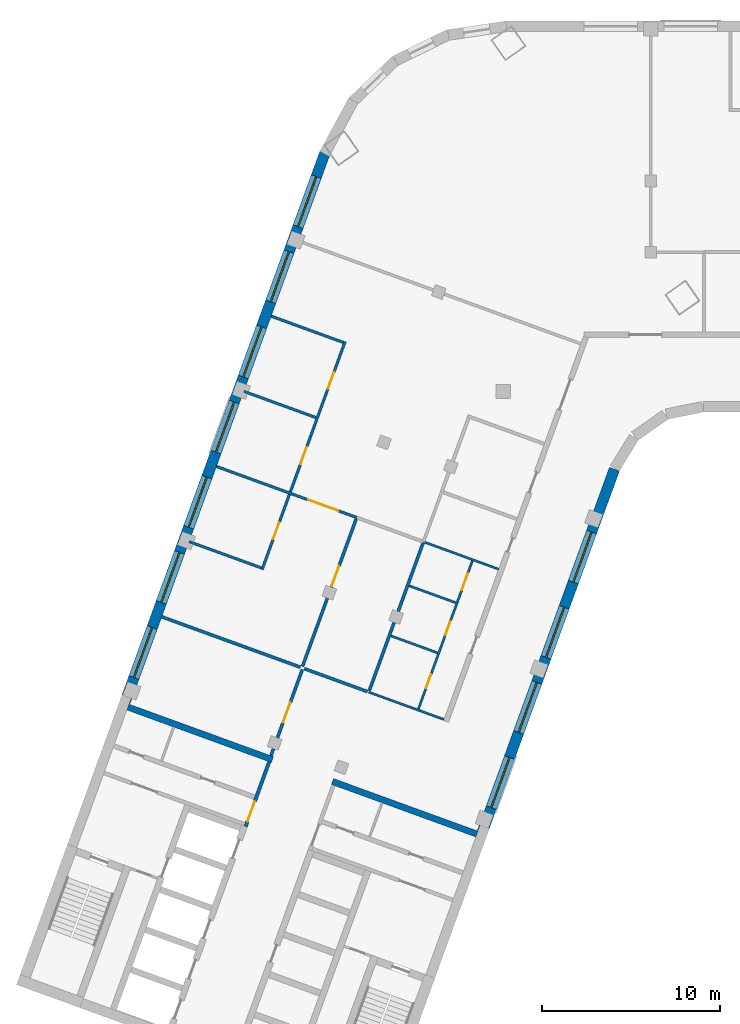
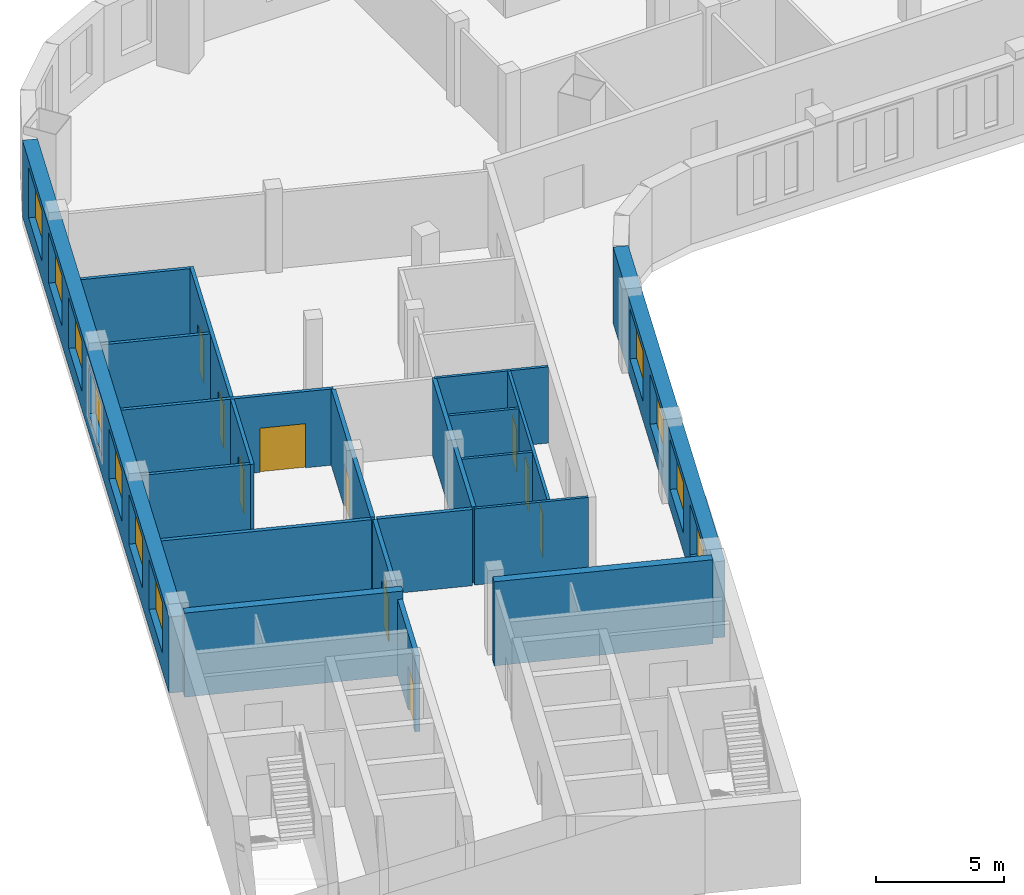
# One storey, part 3 of 8: 20 walls, 11 windows, 10 doors, 21 openings.
"""IFC4 building model written with IfcOpenShell, lengths in metres."""

from ifc_helpers import new_model, si_unit, direction, frame, frame_2d, origin, place, context, subcontext, project, spatial, rectangle, extrude, material, layer, layer_set, type_object, element, fill, save


model = new_model("IFC4")

# Units and contexts
model_context = context("Model", 3, precision=1e-05, world=origin(), true_north=direction((0.0, 1.0)))
body_context = subcontext(model_context, "Body", "Model", "MODEL_VIEW")
ifc_project = project(units=[si_unit("LENGTHUNIT", "METRE"), si_unit("AREAUNIT", "SQUARE_METRE"), si_unit("VOLUMEUNIT", "CUBIC_METRE"), si_unit("PLANEANGLEUNIT", "RADIAN"), si_unit("MASSUNIT", "GRAM", prefix="KILO")], contexts=[model_context])

# Site, building, storey
site_placement = place(None, origin())
site = spatial("IfcSite", under=ifc_project, at=site_placement, CompositionType="ELEMENT")
building_placement = place(site_placement, origin())
building = spatial("IfcBuilding", under=site, at=building_placement, Name="Skarvind Civic Tower", CompositionType="ELEMENT")
storey_placement = place(building_placement, frame((0.0, 0.0, 170.5)))
storey = spatial("IfcBuildingStorey", under=building, at=storey_placement, Name="L40", CompositionType="ELEMENT", Elevation=170.5)

# Wall
ifc_material_1 = material(Name="Acoustic gypsum board on steel studs", Category="steel")
ifc_layer_1 = layer(ifc_material_1, 0.175048828125)
ifc_layer_set_1 = layer_set([ifc_layer_1], Name="ACOUSTIC MEETING-ROOM PARTITION 175")
wall_type_1 = type_object("IfcWallType", Name="ACOUSTIC MEETING-ROOM PARTITION 175", PredefinedType="PARTITIONING", material=ifc_layer_set_1)
wall_1_placement = place(storey_placement, frame((26.736083984375, 105.47998046875, 0.0), z_axis=(0.0, 0.0, 1.0), x_axis=(0.939705074886, -0.341985924028, 0.0)))
element("IfcWall", 1, at=wall_1_placement, inside=storey, type_object=wall_type_1, Name="Partition 40.001", PredefinedType="PARTITIONING", context=body_context, shape_type="SweptSolid", body=[
    extrude(rectangle(XDim=8.313232421875, YDim=0.175048828125, at=frame_2d((4.15673828125, 0.0))), origin(), (0.0, 0.0, 1.0), 3.625),
])

# Wall, opening, door
wall_2_placement = place(storey_placement, frame((32.881103515625, 97.656982421875, 0.0), z_axis=(0.0, 0.0, 1.0), x_axis=(0.342058204353, 0.939678766832, 0.0)))
wall_2 = element("IfcWall", 2, at=wall_2_placement, inside=storey, type_object=wall_type_1, Name="Partition 40.009", PredefinedType="PARTITIONING", context=body_context, shape_type="SweptSolid", body=[
    extrude(rectangle(XDim=5.16259765625, YDim=0.175048828125, at=frame_2d((2.581298828125, 0.0))), origin(), (0.0, 0.0, 1.0), 3.625),
])
opening_1_placement = place(wall_2_placement, frame((1.9912109375, 0.0, 0.0)))
opening_1 = element("IfcOpeningElement", 3, at=opening_1_placement, cuts=wall_2, Name="Opening L40-D007", PredefinedType="OPENING", context=body_context, shape_type="SweptSolid", body=[
    extrude(rectangle(XDim=1.199951171875, YDim=2.10009765625, at=frame_2d((0.60009765625, 1.050048828125))), frame((0.0, 0.097412109375, 0.0), z_axis=(0.0, -1.0, 0.0), x_axis=(1.0, 0.0, 0.0)), (0.0, 0.0, 1.0), 0.195068359375),
])
ifc_material_2 = material(Name="Timber door leaf", Category="wood")
door_type_1 = type_object("IfcDoorType", Name="DOOR 1200X2100 DOUBLE TIMBER", OperationType="NOTDEFINED", PredefinedType="DOOR", material=ifc_material_2)
door_1_placement = place(opening_1_placement, origin())
door_1 = element("IfcDoor", 4, at=door_1_placement, inside=storey, type_object=door_type_1, Name="Door L40-D007", OperationType="DOUBLE_DOOR_SINGLE_SWING", OverallHeight=2.10009765625, OverallWidth=1.199951171875, PredefinedType="DOOR", context=body_context, shape_type="SweptSolid", body=[
    extrude(rectangle(XDim=1.199951171875, YDim=2.10009765625, at=frame_2d((0.60009765625, 1.050048828125))), frame((0.0, 0.02490234375, 0.0), z_axis=(0.0, -1.0, 0.0), x_axis=(1.0, 0.0, 0.0)), (0.0, 0.0, 1.0), 0.050048828125),
])
fill(opening_1, door_1)

# Wall
wall_3_placement = place(storey_placement, frame((34.759033203125, 102.56005859375, 0.0), z_axis=(0.0, 0.0, 1.0), x_axis=(0.939770757411, -0.341805388365, 0.0)))
element("IfcWall", 5, at=wall_3_placement, inside=storey, type_object=wall_type_1, Name="Partition 40.010", PredefinedType="PARTITIONING", context=body_context, shape_type="SweptSolid", body=[
    extrude(rectangle(XDim=3.774169921875, YDim=0.175048828125, at=frame_2d((1.88720703125, 0.0))), origin(), (0.0, 0.0, 1.0), 3.625),
])

# Wall, opening, door
wall_4_placement = place(storey_placement, frame((34.659912109375, 102.68896484375, 0.0), z_axis=(0.0, 0.0, 1.0), x_axis=(0.341951828534, 0.939717482524, 0.0)))
wall_4 = element("IfcWall", 6, at=wall_4_placement, inside=storey, type_object=wall_type_1, Name="Partition 40.011", PredefinedType="PARTITIONING", context=body_context, shape_type="SweptSolid", body=[
    extrude(rectangle(XDim=8.825927734375, YDim=0.175048828125, at=frame_2d((4.4130859375, 0.0))), origin(), (0.0, 0.0, 1.0), 3.625),
])
opening_2_placement = place(wall_4_placement, frame((4.81298828125, 0.0, 0.0)))
opening_2 = element("IfcOpeningElement", 7, at=opening_2_placement, cuts=wall_4, Name="Opening L40-D020", PredefinedType="OPENING", context=body_context, shape_type="SweptSolid", body=[
    extrude(rectangle(XDim=1.199951171875, YDim=2.10009765625, at=frame_2d((0.60009765625, 1.050048828125))), frame((0.0, 0.097412109375, 0.0), z_axis=(0.0, -1.0, 0.0), x_axis=(1.0, 0.0, 0.0)), (0.0, 0.0, 1.0), 0.195068359375),
])
door_2_placement = place(opening_2_placement, origin())
door_2 = element("IfcDoor", 8, at=door_2_placement, inside=storey, type_object=door_type_1, Name="Door L40-D020", OperationType="DOUBLE_DOOR_SINGLE_SWING", OverallHeight=2.10009765625, OverallWidth=1.199951171875, PredefinedType="DOOR", context=body_context, shape_type="SweptSolid", body=[
    extrude(rectangle(XDim=1.199951171875, YDim=2.10009765625, at=frame_2d((0.60009765625, 1.050048828125))), frame((0.0, 0.02490234375, 0.0), z_axis=(0.0, -1.0, 0.0), x_axis=(1.0, 0.0, 0.0)), (0.0, 0.0, 1.0), 0.050048828125),
])
fill(opening_2, door_2)

# Wall
wall_5_placement = place(storey_placement, frame((38.41796875, 101.322021484375, 0.0), z_axis=(0.0, 0.0, 1.0), x_axis=(0.342101536507, 0.939662992099, 0.0)))
element("IfcWall", 9, at=wall_5_placement, inside=storey, type_object=wall_type_1, Name="Partition 40.014", PredefinedType="PARTITIONING", context=body_context, shape_type="SweptSolid", body=[
    extrude(rectangle(XDim=8.912841796875, YDim=0.175048828125, at=frame_2d((4.45654296875, 0.0))), origin(), (0.0, 0.0, 1.0), 3.625),
])

# Wall, opening, door
ifc_material_3 = material(Name="Fire-rated masonry partition", Category="masonry")
ifc_layer_2 = layer(ifc_material_3, 0.199951171875)
ifc_layer_set_2 = layer_set([ifc_layer_2], Name="Core enclosure wall 200")
wall_type_2 = type_object("IfcWallType", Name="Core enclosure wall 200", PredefinedType="PARTITIONING", material=ifc_layer_set_2)
wall_6_placement = place(storey_placement, frame((31.45947265625, 93.67822265625, 0.0), z_axis=(0.0, 0.0, 1.0), x_axis=(0.341985870128, 0.939705094502, 0.0)))
wall_6 = element("IfcWall", 10, at=wall_6_placement, inside=storey, type_object=wall_type_2, Name="Core wall C2", PredefinedType="PARTITIONING", context=body_context, shape_type="SweptSolid", body=[
    extrude(rectangle(XDim=3.875, YDim=0.199951171875, at=frame_2d((1.9375, 0.0))), origin(), (0.0, 0.0, 1.0), 3.625),
])
opening_3_placement = place(wall_6_placement, frame((0.300048828125, 0.0, 0.0)))
opening_3 = element("IfcOpeningElement", 11, at=opening_3_placement, cuts=wall_6, Name="Opening D-L40-C2-07", PredefinedType="OPENING", context=body_context, shape_type="SweptSolid", body=[
    extrude(rectangle(XDim=1.199951171875, YDim=2.10009765625, at=frame_2d((0.60009765625, 1.050048828125))), frame((0.0, 0.10986328125, 0.0), z_axis=(0.0, -1.0, 0.0), x_axis=(1.0, 0.0, 0.0)), (0.0, 0.0, 1.0), 0.219970703125),
])
ifc_material_4 = material(Name="Fire-rated steel door", Category="steel")
door_type_2 = type_object("IfcDoorType", Name="Core lobby door 1200", OperationType="NOTDEFINED", PredefinedType="DOOR", material=ifc_material_4)
door_3_placement = place(opening_3_placement, origin())
door_3 = element("IfcDoor", 12, at=door_3_placement, inside=storey, type_object=door_type_2, Name="Fire door", OperationType="DOUBLE_DOOR_SINGLE_SWING", OverallHeight=2.10009765625, OverallWidth=1.199951171875, PredefinedType="DOOR", context=body_context, shape_type="SweptSolid", body=[
    extrude(rectangle(XDim=1.199951171875, YDim=2.10009765625, at=frame_2d((0.60009765625, 1.050048828125))), frame((0.0, 0.02490234375, 0.0), z_axis=(0.0, -1.0, 0.0), x_axis=(1.0, 0.0, 0.0)), (0.0, 0.0, 1.0), 0.050048828125),
])
fill(opening_3, door_3)

# Walls
ifc_material_5 = material(Name="Concrete C60", Category="concrete")
ifc_layer_3 = layer(ifc_material_5, 0.35009765625)
ifc_layer_set_3 = layer_set([ifc_layer_3], Name="Core wall 350 C60")
wall_type_3 = type_object("IfcWallType", Name="Core wall 350 C60", PredefinedType="SHEAR", material=ifc_layer_set_3)
wall_7_placement = place(storey_placement, frame((44.473388671875, 93.25146484375, 0.0), z_axis=(0.0, 0.0, 1.0), x_axis=(-0.939692847377, 0.34201952077, 0.0)))
element("IfcWall", 13, at=wall_7_placement, inside=storey, type_object=wall_type_3, Name="Core wall C2 south inner face L40", PredefinedType="SHEAR", context=body_context, shape_type="SweptSolid", body=[
    extrude(rectangle(XDim=8.650146484375, YDim=0.35009765625, at=frame_2d((4.3251953125, 0.0))), origin(), (0.0, 0.0, 1.0), 4.0),
])
wall_8_placement = place(storey_placement, frame((32.9619140625, 97.44140625, 0.0), z_axis=(0.0, 0.0, 1.0), x_axis=(-0.939689545667, 0.342028592028, 0.0)))
element("IfcWall", 14, at=wall_8_placement, inside=storey, type_object=wall_type_3, Name="Core wall C2 north inner face L40", PredefinedType="SHEAR", context=body_context, shape_type="SweptSolid", body=[
    extrude(rectangle(XDim=8.64990234375, YDim=0.35009765625, at=frame_2d((4.324951171875, 0.0))), origin(), (0.0, 0.0, 1.0), 4.0),
])

# Wall, opening, door
ifc_material_6 = material(Name="Plasterboard partition on steel studs", Category="steel")
ifc_layer_4 = layer(ifc_material_6, 0.14990234375)
ifc_layer_set_4 = layer_set([ifc_layer_4], Name="PARTITION 150")
wall_type_4 = type_object("IfcWallType", Name="PARTITION 150", PredefinedType="PARTITIONING", material=ifc_layer_set_4)
wall_9_placement = place(storey_placement, frame((29.81396484375, 113.93798828125, 0.0), z_axis=(0.0, 0.0, 1.0), x_axis=(0.939698351515, -0.342004397867, 0.0)))
wall_9 = element("IfcWall", 15, at=wall_9_placement, inside=storey, type_object=wall_type_4, Name="Partition 40.002", PredefinedType="PARTITIONING", context=body_context, shape_type="SweptSolid", body=[
    extrude(rectangle(XDim=8.400634765625, YDim=0.14990234375, at=frame_2d((4.2001953125, 0.0))), origin(), (0.0, 0.0, 1.0), 3.625),
])
opening_4_placement = place(wall_9_placement, frame((5.50048828125, 0.0, 0.0)))
opening_4 = element("IfcOpeningElement", 16, at=opening_4_placement, cuts=wall_9, Name="Opening L40-D013", PredefinedType="OPENING", context=body_context, shape_type="SweptSolid", body=[
    extrude(rectangle(XDim=1.800048828125, YDim=2.10009765625, at=frame_2d((0.89990234375, 1.050048828125))), frame((0.0, 0.0849609375, 0.0), z_axis=(0.0, -1.0, 0.0), x_axis=(1.0, 0.0, 0.0)), (0.0, 0.0, 1.0), 0.169921875),
])
door_type_3 = type_object("IfcDoorType", Name="D4 1800x2100", OperationType="NOTDEFINED", PredefinedType="DOOR", material=ifc_material_2)
door_4_placement = place(opening_4_placement, origin())
door_4 = element("IfcDoor", 17, at=door_4_placement, inside=storey, type_object=door_type_3, Name="Door L40-D013", OperationType="DOUBLE_DOOR_SINGLE_SWING", OverallHeight=2.10009765625, OverallWidth=1.800048828125, PredefinedType="DOOR", context=body_context, shape_type="SweptSolid", body=[
    extrude(rectangle(XDim=1.800048828125, YDim=2.10009765625, at=frame_2d((0.89990234375, 1.050048828125))), frame((0.0, 0.02490234375, 0.0), z_axis=(0.0, -1.0, 0.0), x_axis=(1.0, 0.0, 0.0)), (0.0, 0.0, 1.0), 0.050048828125),
])
fill(opening_4, door_4)

# Walls
wall_10_placement = place(storey_placement, frame((31.35302734375, 118.166015625, 0.0), z_axis=(0.0, 0.0, 1.0), x_axis=(0.939803311208, -0.341715870634, 0.0)))
element("IfcWall", 18, at=wall_10_placement, inside=storey, type_object=wall_type_4, Name="Partition 40.003", PredefinedType="PARTITIONING", context=body_context, shape_type="SweptSolid", body=[
    extrude(rectangle(XDim=4.3251953125, YDim=0.14990234375, at=frame_2d((2.16259765625, 0.0))), origin(), (0.0, 0.0, 1.0), 3.625),
])
wall_11_placement = place(storey_placement, frame((32.340087890625, 108.22998046875, 0.0), z_axis=(0.0, 0.0, 1.0), x_axis=(-0.939737385516, 0.341897128188, 0.0)))
element("IfcWall", 19, at=wall_11_placement, inside=storey, type_object=wall_type_4, Name="Partition 40.004", PredefinedType="PARTITIONING", context=body_context, shape_type="SweptSolid", body=[
    extrude(rectangle(XDim=4.325927734375, YDim=0.14990234375, at=frame_2d((2.1630859375, 0.0))), origin(), (0.0, 0.0, 1.0), 3.625),
])

# Wall, openings, doors
wall_12_placement = place(storey_placement, frame((37.052978515625, 120.9599609375, 0.0), z_axis=(0.0, 0.0, 1.0), x_axis=(-0.342064742067, -0.939676386973, 0.0)))
wall_12 = element("IfcWall", 20, at=wall_12_placement, inside=storey, type_object=wall_type_4, Name="Partition 40.005", PredefinedType="PARTITIONING", context=body_context, shape_type="SweptSolid", body=[
    extrude(rectangle(XDim=13.6494140625, YDim=0.14990234375, at=frame_2d((6.82470703125, 0.0))), origin(), (0.0, 0.0, 1.0), 3.625),
])
opening_5_placement = place(wall_12_placement, frame((10.824462890625, 0.0, 0.0)))
opening_5 = element("IfcOpeningElement", 21, at=opening_5_placement, cuts=wall_12, Name="Opening L40-D012", PredefinedType="OPENING", context=body_context, shape_type="SweptSolid", body=[
    extrude(rectangle(XDim=1.0, YDim=2.10009765625, at=frame_2d((0.5, 1.050048828125))), frame((0.0, 0.0849609375, 0.0), z_axis=(0.0, -1.0, 0.0), x_axis=(1.0, 0.0, 0.0)), (0.0, 0.0, 1.0), 0.169921875),
])
opening_6_placement = place(wall_12_placement, frame((6.32421875, 0.0, 0.0)))
opening_6 = element("IfcOpeningElement", 22, at=opening_6_placement, cuts=wall_12, Name="Opening L40-D016", PredefinedType="OPENING", context=body_context, shape_type="SweptSolid", body=[
    extrude(rectangle(XDim=1.0, YDim=2.10009765625, at=frame_2d((0.5, 1.050048828125))), frame((0.0, 0.0849609375, 0.0), z_axis=(0.0, -1.0, 0.0), x_axis=(1.0, 0.0, 0.0)), (0.0, 0.0, 1.0), 0.169921875),
])
opening_7_placement = place(wall_12_placement, frame((1.82421875, 0.0, 0.0)))
opening_7 = element("IfcOpeningElement", 23, at=opening_7_placement, cuts=wall_12, Name="Opening L40-D017", PredefinedType="OPENING", context=body_context, shape_type="SweptSolid", body=[
    extrude(rectangle(XDim=1.0, YDim=2.10009765625, at=frame_2d((0.5, 1.050048828125))), frame((0.0, 0.0849609375, 0.0), z_axis=(0.0, -1.0, 0.0), x_axis=(1.0, 0.0, 0.0)), (0.0, 0.0, 1.0), 0.169921875),
])
door_type_4 = type_object("IfcDoorType", Name="D1 1000x2100", OperationType="NOTDEFINED", PredefinedType="DOOR", material=ifc_material_2)
door_5_placement = place(opening_5_placement, origin())
door_5 = element("IfcDoor", 24, at=door_5_placement, inside=storey, type_object=door_type_4, Name="Door L40-D012", OperationType="SINGLE_SWING_LEFT", OverallHeight=2.10009765625, OverallWidth=1.0, PredefinedType="DOOR", context=body_context, shape_type="SweptSolid", body=[
    extrude(rectangle(XDim=1.0, YDim=2.10009765625, at=frame_2d((0.5, 1.050048828125))), frame((0.0, 0.02490234375, 0.0), z_axis=(0.0, -1.0, 0.0), x_axis=(1.0, 0.0, 0.0)), (0.0, 0.0, 1.0), 0.050048828125),
])
fill(opening_5, door_5)
door_6_placement = place(opening_6_placement, origin())
door_6 = element("IfcDoor", 25, at=door_6_placement, inside=storey, type_object=door_type_4, Name="Door L40-D016", OperationType="SINGLE_SWING_RIGHT", OverallHeight=2.10009765625, OverallWidth=1.0, PredefinedType="DOOR", context=body_context, shape_type="SweptSolid", body=[
    extrude(rectangle(XDim=1.0, YDim=2.10009765625, at=frame_2d((0.5, 1.050048828125))), frame((0.0, 0.02490234375, 0.0), z_axis=(0.0, -1.0, 0.0), x_axis=(1.0, 0.0, 0.0)), (0.0, 0.0, 1.0), 0.050048828125),
])
fill(opening_6, door_6)
door_7_placement = place(opening_7_placement, origin())
door_7 = element("IfcDoor", 26, at=door_7_placement, inside=storey, type_object=door_type_4, Name="Door L40-D017", OperationType="SINGLE_SWING_LEFT", OverallHeight=2.10009765625, OverallWidth=1.0, PredefinedType="DOOR", context=body_context, shape_type="SweptSolid", body=[
    extrude(rectangle(XDim=1.0, YDim=2.10009765625, at=frame_2d((0.5, 1.050048828125))), frame((0.0, 0.02490234375, 0.0), z_axis=(0.0, -1.0, 0.0), x_axis=(1.0, 0.0, 0.0)), (0.0, 0.0, 1.0), 0.050048828125),
])
fill(opening_7, door_7)

# Walls
wall_13_placement = place(storey_placement, frame((32.89208984375, 122.39501953125, 0.0), z_axis=(0.0, 0.0, 1.0), x_axis=(0.93973078783, -0.341915262023, 0.0)))
element("IfcWall", 27, at=wall_13_placement, inside=storey, type_object=wall_type_4, Name="Partition 40.006", PredefinedType="PARTITIONING", context=body_context, shape_type="SweptSolid", body=[
    extrude(rectangle(XDim=4.32568359375, YDim=0.14990234375, at=frame_2d((2.162841796875, 0.0))), origin(), (0.0, 0.0, 1.0), 3.625),
])
ifc_material_7 = material(Name="Moisture-resistant gypsum board on steel studs", Category="steel")
ifc_layer_5 = layer(ifc_material_7, 0.125)
ifc_layer_set_5 = layer_set([ifc_layer_5], Name="WC PARTITION 125")
wall_type_5 = type_object("IfcWallType", Name="WC PARTITION 125", PredefinedType="PARTITIONING", material=ifc_layer_set_5)
wall_14_placement = place(storey_placement, frame((38.385009765625, 101.239990234375, 0.0), z_axis=(0.0, 0.0, 1.0), x_axis=(0.939711088937, -0.341969398235, 0.0)))
element("IfcWall", 28, at=wall_14_placement, inside=storey, type_object=wall_type_5, Name="Partition 40.012", PredefinedType="PARTITIONING", context=body_context, shape_type="SweptSolid", body=[
    extrude(rectangle(XDim=4.50341796875, YDim=0.125, at=frame_2d((2.251708984375, 0.0))), origin(), (0.0, 0.0, 1.0), 3.625),
])

# Wall, openings, doors
wall_15_placement = place(storey_placement, frame((41.180908203125, 100.2900390625, 0.0), z_axis=(0.0, 0.0, 1.0), x_axis=(0.34222012082, 0.939619810831, 0.0)))
wall_15 = element("IfcWall", 29, at=wall_15_placement, inside=storey, type_object=wall_type_5, Name="Partition 40.016", PredefinedType="PARTITIONING", context=body_context, shape_type="SweptSolid", body=[
    extrude(rectangle(XDim=8.874755859375, YDim=0.125, at=frame_2d((4.4375, 0.0))), origin(), (0.0, 0.0, 1.0), 3.625),
])
opening_8_placement = place(wall_15_placement, frame((1.25830078125, 0.0, 0.0)))
opening_8 = element("IfcOpeningElement", 30, at=opening_8_placement, cuts=wall_15, Name="Opening L40-D009", PredefinedType="OPENING", context=body_context, shape_type="SweptSolid", body=[
    extrude(rectangle(XDim=0.800048828125, YDim=2.10009765625, at=frame_2d((0.39990234375, 1.050048828125))), frame((0.0, 0.072509765625, 0.0), z_axis=(0.0, -1.0, 0.0), x_axis=(1.0, 0.0, 0.0)), (0.0, 0.0, 1.0), 0.14501953125),
])
opening_9_placement = place(wall_15_placement, frame((4.43701171875, 0.0, 0.0)))
opening_9 = element("IfcOpeningElement", 31, at=opening_9_placement, cuts=wall_15, Name="Opening L40-D010", PredefinedType="OPENING", context=body_context, shape_type="SweptSolid", body=[
    extrude(rectangle(XDim=0.800048828125, YDim=2.10009765625, at=frame_2d((0.39990234375, 1.050048828125))), frame((0.0, 0.072509765625, 0.0), z_axis=(0.0, -1.0, 0.0), x_axis=(1.0, 0.0, 0.0)), (0.0, 0.0, 1.0), 0.14501953125),
])
opening_10_placement = place(wall_15_placement, frame((7.1162109375, 0.0, 0.0)))
opening_10 = element("IfcOpeningElement", 32, at=opening_10_placement, cuts=wall_15, Name="Opening L40-D011", PredefinedType="OPENING", context=body_context, shape_type="SweptSolid", body=[
    extrude(rectangle(XDim=1.0, YDim=2.10009765625, at=frame_2d((0.5, 1.050048828125))), frame((0.0, 0.072509765625, 0.0), z_axis=(0.0, -1.0, 0.0), x_axis=(1.0, 0.0, 0.0)), (0.0, 0.0, 1.0), 0.14501953125),
])
door_8_placement = place(opening_10_placement, origin())
door_8 = element("IfcDoor", 33, at=door_8_placement, inside=storey, type_object=door_type_4, Name="Door L40-D011", OperationType="SINGLE_SWING_LEFT", OverallHeight=2.10009765625, OverallWidth=1.0, PredefinedType="DOOR", context=body_context, shape_type="SweptSolid", body=[
    extrude(rectangle(XDim=1.0, YDim=2.10009765625, at=frame_2d((0.5, 1.050048828125))), frame((0.0, 0.02490234375, 0.0), z_axis=(0.0, -1.0, 0.0), x_axis=(1.0, 0.0, 0.0)), (0.0, 0.0, 1.0), 0.050048828125),
])
fill(opening_10, door_8)
door_type_5 = type_object("IfcDoorType", Name="DOOR 800X2100 TIMBER", OperationType="NOTDEFINED", PredefinedType="DOOR", material=ifc_material_2)
door_9_placement = place(opening_8_placement, origin())
door_9 = element("IfcDoor", 34, at=door_9_placement, inside=storey, type_object=door_type_5, Name="Door L40-D009", OperationType="SINGLE_SWING_LEFT", OverallHeight=2.10009765625, OverallWidth=0.800048828125, PredefinedType="DOOR", context=body_context, shape_type="SweptSolid", body=[
    extrude(rectangle(XDim=0.800048828125, YDim=2.10009765625, at=frame_2d((0.39990234375, 1.050048828125))), frame((0.0, 0.02490234375, 0.0), z_axis=(0.0, -1.0, 0.0), x_axis=(1.0, 0.0, 0.0)), (0.0, 0.0, 1.0), 0.050048828125),
])
fill(opening_8, door_9)
door_10_placement = place(opening_9_placement, origin())
door_10 = element("IfcDoor", 35, at=door_10_placement, inside=storey, type_object=door_type_5, Name="Door L40-D010", OperationType="SINGLE_SWING_LEFT", OverallHeight=2.10009765625, OverallWidth=0.800048828125, PredefinedType="DOOR", context=body_context, shape_type="SweptSolid", body=[
    extrude(rectangle(XDim=0.800048828125, YDim=2.10009765625, at=frame_2d((0.39990234375, 1.050048828125))), frame((0.0, 0.02490234375, 0.0), z_axis=(0.0, -1.0, 0.0), x_axis=(1.0, 0.0, 0.0)), (0.0, 0.0, 1.0), 0.050048828125),
])
fill(opening_9, door_10)

# Walls
wall_16_placement = place(storey_placement, frame((41.467041015625, 109.697021484375, 0.0), z_axis=(0.0, 0.0, 1.0), x_axis=(0.939609529273, -0.342248349154, 0.0)))
element("IfcWall", 36, at=wall_16_placement, inside=storey, type_object=wall_type_5, Name="Partition 40.018", PredefinedType="PARTITIONING", context=body_context, shape_type="SweptSolid", body=[
    extrude(rectangle(XDim=4.499755859375, YDim=0.125, at=frame_2d((2.25, 0.0))), origin(), (0.0, 0.0, 1.0), 3.625),
])
wall_17_placement = place(storey_placement, frame((42.263916015625, 103.446044921875, 0.0), z_axis=(0.0, 0.0, 1.0), x_axis=(-0.939640574808, 0.342163104635, 0.0)))
element("IfcWall", 37, at=wall_17_placement, inside=storey, type_object=wall_type_5, Name="Partition 40.019", PredefinedType="PARTITIONING", context=body_context, shape_type="SweptSolid", body=[
    extrude(rectangle(XDim=2.7998046875, YDim=0.125, at=frame_2d((1.39990234375, 0.0))), origin(), (0.0, 0.0, 1.0), 3.625),
])
wall_18_placement = place(storey_placement, frame((43.2900390625, 106.26611328125, 0.0), z_axis=(0.0, 0.0, 1.0), x_axis=(-0.939650782256, 0.342135071873, 0.0)))
element("IfcWall", 38, at=wall_18_placement, inside=storey, type_object=wall_type_5, Name="Partition 40.024", PredefinedType="PARTITIONING", context=body_context, shape_type="SweptSolid", body=[
    extrude(rectangle(XDim=2.800048828125, YDim=0.125, at=frame_2d((1.39990234375, 0.0))), origin(), (0.0, 0.0, 1.0), 3.625),
])

# Wall, openings, windows
ifc_material_8 = material(Name="Limestone masonry cladding on insulated backing", Category="masonry")
ifc_layer_6 = layer(ifc_material_8, 0.60009765625)
ifc_layer_set_6 = layer_set([ifc_layer_6], Name="WX1 STONE FACADE WALL 600")
wall_type_6 = type_object("IfcWallType", Name="WX1 STONE FACADE WALL 600", PredefinedType="SOLIDWALL", material=ifc_layer_set_6)
wall_19_placement = place(storey_placement, frame((52.212158203125, 113.78271484375, 0.0), z_axis=(0.0, 0.0, 1.0), x_axis=(-0.34202521188, -0.939690775968, 0.0)))
wall_19 = element("IfcWall", 39, at=wall_19_placement, inside=storey, type_object=wall_type_6, Name="STONE FACADE WALL", PredefinedType="SOLIDWALL", context=body_context, shape_type="SweptSolid", body=[
    extrude(rectangle(XDim=21.744873046875, YDim=0.60009765625, at=frame_2d((10.87255859375, 0.0))), origin(), (0.0, 0.0, 1.0), 3.625),
])
opening_11_placement = place(wall_19_placement, frame((3.764892578125, 0.0, 0.89990234375)))
opening_11 = element("IfcOpeningElement", 40, at=opening_11_placement, cuts=wall_19, Name="Opening WN1", PredefinedType="OPENING", context=body_context, shape_type="SweptSolid", body=[
    extrude(rectangle(XDim=3.0, YDim=2.39990234375, at=frame_2d((1.5, 1.199951171875))), frame((0.0, 0.31005859375, 0.0), z_axis=(0.0, -1.0, 0.0), x_axis=(1.0, 0.0, 0.0)), (0.0, 0.0, 1.0), 0.6201171875),
])
opening_12_placement = place(wall_19_placement, frame((8.264892578125, 0.0, 0.89990234375)))
opening_12 = element("IfcOpeningElement", 41, at=opening_12_placement, cuts=wall_19, Name="Opening WN1", PredefinedType="OPENING", context=body_context, shape_type="SweptSolid", body=[
    extrude(rectangle(XDim=3.0, YDim=2.39990234375, at=frame_2d((1.5, 1.199951171875))), frame((0.0, 0.31005859375, 0.0), z_axis=(0.0, -1.0, 0.0), x_axis=(1.0, 0.0, 0.0)), (0.0, 0.0, 1.0), 0.6201171875),
])
opening_13_placement = place(wall_19_placement, frame((12.764892578125, 0.0, 0.89990234375)))
opening_13 = element("IfcOpeningElement", 42, at=opening_13_placement, cuts=wall_19, Name="Opening WN1", PredefinedType="OPENING", context=body_context, shape_type="SweptSolid", body=[
    extrude(rectangle(XDim=3.0, YDim=2.39990234375, at=frame_2d((1.5, 1.199951171875))), frame((0.0, 0.31005859375, 0.0), z_axis=(0.0, -1.0, 0.0), x_axis=(1.0, 0.0, 0.0)), (0.0, 0.0, 1.0), 0.6201171875),
])
opening_14_placement = place(wall_19_placement, frame((17.264892578125, 0.0, 0.89990234375)))
opening_14 = element("IfcOpeningElement", 43, at=opening_14_placement, cuts=wall_19, Name="Opening WN1", PredefinedType="OPENING", context=body_context, shape_type="SweptSolid", body=[
    extrude(rectangle(XDim=3.0, YDim=2.39990234375, at=frame_2d((1.5, 1.199951171875))), frame((0.0, 0.31005859375, 0.0), z_axis=(0.0, -1.0, 0.0), x_axis=(1.0, 0.0, 0.0)), (0.0, 0.0, 1.0), 0.6201171875),
])
ifc_material_9 = material(Name="Timber frame, double glazing, timber-lined reveal", Category="wood")
window_type = type_object("IfcWindowType", Name="WN1 PUNCHED STONE WINDOW 3000 x 2400", PartitioningType="SINGLE_PANEL", PredefinedType="WINDOW", material=ifc_material_9)
window_1_placement = place(opening_11_placement, origin())
window_1 = element("IfcWindow", 44, at=window_1_placement, inside=storey, type_object=window_type, Name="WN1 WINDOW", OverallHeight=2.39990234375, OverallWidth=3.0, PartitioningType="SINGLE_PANEL", PredefinedType="WINDOW", context=body_context, shape_type="SweptSolid", body=[
    extrude(rectangle(XDim=3.0, YDim=2.39990234375, at=frame_2d((1.5, 1.199951171875))), frame((0.0, 0.030029296875, 0.0), z_axis=(0.0, -1.0, 0.0), x_axis=(1.0, 0.0, 0.0)), (0.0, 0.0, 1.0), 0.06005859375),
])
fill(opening_11, window_1)
window_2_placement = place(opening_12_placement, origin())
window_2 = element("IfcWindow", 45, at=window_2_placement, inside=storey, type_object=window_type, Name="WN1 WINDOW", OverallHeight=2.39990234375, OverallWidth=3.0, PartitioningType="SINGLE_PANEL", PredefinedType="WINDOW", context=body_context, shape_type="SweptSolid", body=[
    extrude(rectangle(XDim=3.0, YDim=2.39990234375, at=frame_2d((1.5, 1.199951171875))), frame((0.0, 0.030029296875, 0.0), z_axis=(0.0, -1.0, 0.0), x_axis=(1.0, 0.0, 0.0)), (0.0, 0.0, 1.0), 0.06005859375),
])
fill(opening_12, window_2)
window_3_placement = place(opening_13_placement, origin())
window_3 = element("IfcWindow", 46, at=window_3_placement, inside=storey, type_object=window_type, Name="WN1 WINDOW", OverallHeight=2.39990234375, OverallWidth=3.0, PartitioningType="SINGLE_PANEL", PredefinedType="WINDOW", context=body_context, shape_type="SweptSolid", body=[
    extrude(rectangle(XDim=3.0, YDim=2.39990234375, at=frame_2d((1.5, 1.199951171875))), frame((0.0, 0.030029296875, 0.0), z_axis=(0.0, -1.0, 0.0), x_axis=(1.0, 0.0, 0.0)), (0.0, 0.0, 1.0), 0.06005859375),
])
fill(opening_13, window_3)
window_4_placement = place(opening_14_placement, origin())
window_4 = element("IfcWindow", 47, at=window_4_placement, inside=storey, type_object=window_type, Name="WN1 WINDOW", OverallHeight=2.39990234375, OverallWidth=3.0, PartitioningType="SINGLE_PANEL", PredefinedType="WINDOW", context=body_context, shape_type="SweptSolid", body=[
    extrude(rectangle(XDim=3.0, YDim=2.39990234375, at=frame_2d((1.5, 1.199951171875))), frame((0.0, 0.030029296875, 0.0), z_axis=(0.0, -1.0, 0.0), x_axis=(1.0, 0.0, 0.0)), (0.0, 0.0, 1.0), 0.06005859375),
])
fill(opening_14, window_4)

wall_20_placement = place(storey_placement, frame((24.66552734375, 100.668701171875, 0.0), z_axis=(0.0, 0.0, 1.0), x_axis=(0.34201964167, 0.939692803373, 0.0)))
wall_20 = element("IfcWall", 48, at=wall_20_placement, inside=storey, type_object=wall_type_6, Name="STONE FACADE WALL", PredefinedType="SOLIDWALL", context=body_context, shape_type="SweptSolid", body=[
    extrude(rectangle(XDim=32.88427734375, YDim=0.60009765625, at=frame_2d((16.442138671875, 0.0))), origin(), (0.0, 0.0, 1.0), 3.625),
])
opening_15_placement = place(wall_20_placement, frame((1.47998046875, 0.0, 0.89990234375)))
opening_15 = element("IfcOpeningElement", 49, at=opening_15_placement, cuts=wall_20, Name="Opening WN1", PredefinedType="OPENING", context=body_context, shape_type="SweptSolid", body=[
    extrude(rectangle(XDim=3.0, YDim=2.39990234375, at=frame_2d((1.5, 1.199951171875))), frame((0.0, 0.31005859375, 0.0), z_axis=(0.0, -1.0, 0.0), x_axis=(1.0, 0.0, 0.0)), (0.0, 0.0, 1.0), 0.6201171875),
])
opening_16_placement = place(wall_20_placement, frame((5.97998046875, 0.0, 0.89990234375)))
opening_16 = element("IfcOpeningElement", 50, at=opening_16_placement, cuts=wall_20, Name="Opening WN1", PredefinedType="OPENING", context=body_context, shape_type="SweptSolid", body=[
    extrude(rectangle(XDim=3.0, YDim=2.39990234375, at=frame_2d((1.5, 1.199951171875))), frame((0.0, 0.31005859375, 0.0), z_axis=(0.0, -1.0, 0.0), x_axis=(1.0, 0.0, 0.0)), (0.0, 0.0, 1.0), 0.6201171875),
])
opening_17_placement = place(wall_20_placement, frame((10.47998046875, 0.0, 0.89990234375)))
opening_17 = element("IfcOpeningElement", 51, at=opening_17_placement, cuts=wall_20, Name="Opening WN1", PredefinedType="OPENING", context=body_context, shape_type="SweptSolid", body=[
    extrude(rectangle(XDim=3.0, YDim=2.39990234375, at=frame_2d((1.5, 1.199951171875))), frame((0.0, 0.31005859375, 0.0), z_axis=(0.0, -1.0, 0.0), x_axis=(1.0, 0.0, 0.0)), (0.0, 0.0, 1.0), 0.6201171875),
])
opening_18_placement = place(wall_20_placement, frame((14.97998046875, 0.0, 0.89990234375)))
opening_18 = element("IfcOpeningElement", 52, at=opening_18_placement, cuts=wall_20, Name="Opening WN1", PredefinedType="OPENING", context=body_context, shape_type="SweptSolid", body=[
    extrude(rectangle(XDim=3.0, YDim=2.39990234375, at=frame_2d((1.5, 1.199951171875))), frame((0.0, 0.31005859375, 0.0), z_axis=(0.0, -1.0, 0.0), x_axis=(1.0, 0.0, 0.0)), (0.0, 0.0, 1.0), 0.6201171875),
])
opening_19_placement = place(wall_20_placement, frame((19.47998046875, 0.0, 0.89990234375)))
opening_19 = element("IfcOpeningElement", 53, at=opening_19_placement, cuts=wall_20, Name="Opening WN1", PredefinedType="OPENING", context=body_context, shape_type="SweptSolid", body=[
    extrude(rectangle(XDim=3.0, YDim=2.39990234375, at=frame_2d((1.5, 1.199951171875))), frame((0.0, 0.31005859375, 0.0), z_axis=(0.0, -1.0, 0.0), x_axis=(1.0, 0.0, 0.0)), (0.0, 0.0, 1.0), 0.6201171875),
])
opening_20_placement = place(wall_20_placement, frame((23.97998046875, 0.0, 0.89990234375)))
opening_20 = element("IfcOpeningElement", 54, at=opening_20_placement, cuts=wall_20, Name="Opening WN1", PredefinedType="OPENING", context=body_context, shape_type="SweptSolid", body=[
    extrude(rectangle(XDim=3.0, YDim=2.39990234375, at=frame_2d((1.5, 1.199951171875))), frame((0.0, 0.31005859375, 0.0), z_axis=(0.0, -1.0, 0.0), x_axis=(1.0, 0.0, 0.0)), (0.0, 0.0, 1.0), 0.6201171875),
])
opening_21_placement = place(wall_20_placement, frame((28.47998046875, 0.0, 0.89990234375)))
opening_21 = element("IfcOpeningElement", 55, at=opening_21_placement, cuts=wall_20, Name="Opening WN1", PredefinedType="OPENING", context=body_context, shape_type="SweptSolid", body=[
    extrude(rectangle(XDim=3.0, YDim=2.39990234375, at=frame_2d((1.5, 1.199951171875))), frame((0.0, 0.31005859375, 0.0), z_axis=(0.0, -1.0, 0.0), x_axis=(1.0, 0.0, 0.0)), (0.0, 0.0, 1.0), 0.6201171875),
])
window_5_placement = place(opening_15_placement, origin())
window_5 = element("IfcWindow", 56, at=window_5_placement, inside=storey, type_object=window_type, Name="WN1 WINDOW", OverallHeight=2.39990234375, OverallWidth=3.0, PartitioningType="SINGLE_PANEL", PredefinedType="WINDOW", context=body_context, shape_type="SweptSolid", body=[
    extrude(rectangle(XDim=3.0, YDim=2.39990234375, at=frame_2d((1.5, 1.199951171875))), frame((0.0, 0.030029296875, 0.0), z_axis=(0.0, -1.0, 0.0), x_axis=(1.0, 0.0, 0.0)), (0.0, 0.0, 1.0), 0.06005859375),
])
fill(opening_15, window_5)
window_6_placement = place(opening_16_placement, origin())
window_6 = element("IfcWindow", 57, at=window_6_placement, inside=storey, type_object=window_type, Name="WN1 WINDOW", OverallHeight=2.39990234375, OverallWidth=3.0, PartitioningType="SINGLE_PANEL", PredefinedType="WINDOW", context=body_context, shape_type="SweptSolid", body=[
    extrude(rectangle(XDim=3.0, YDim=2.39990234375, at=frame_2d((1.5, 1.199951171875))), frame((0.0, 0.030029296875, 0.0), z_axis=(0.0, -1.0, 0.0), x_axis=(1.0, 0.0, 0.0)), (0.0, 0.0, 1.0), 0.06005859375),
])
fill(opening_16, window_6)
window_7_placement = place(opening_17_placement, origin())
window_7 = element("IfcWindow", 58, at=window_7_placement, inside=storey, type_object=window_type, Name="WN1 WINDOW", OverallHeight=2.39990234375, OverallWidth=3.0, PartitioningType="SINGLE_PANEL", PredefinedType="WINDOW", context=body_context, shape_type="SweptSolid", body=[
    extrude(rectangle(XDim=3.0, YDim=2.39990234375, at=frame_2d((1.5, 1.199951171875))), frame((0.0, 0.030029296875, 0.0), z_axis=(0.0, -1.0, 0.0), x_axis=(1.0, 0.0, 0.0)), (0.0, 0.0, 1.0), 0.06005859375),
])
fill(opening_17, window_7)
window_8_placement = place(opening_18_placement, origin())
window_8 = element("IfcWindow", 59, at=window_8_placement, inside=storey, type_object=window_type, Name="WN1 WINDOW", OverallHeight=2.39990234375, OverallWidth=3.0, PartitioningType="SINGLE_PANEL", PredefinedType="WINDOW", context=body_context, shape_type="SweptSolid", body=[
    extrude(rectangle(XDim=3.0, YDim=2.39990234375, at=frame_2d((1.5, 1.199951171875))), frame((0.0, 0.030029296875, 0.0), z_axis=(0.0, -1.0, 0.0), x_axis=(1.0, 0.0, 0.0)), (0.0, 0.0, 1.0), 0.06005859375),
])
fill(opening_18, window_8)
window_9_placement = place(opening_19_placement, origin())
window_9 = element("IfcWindow", 60, at=window_9_placement, inside=storey, type_object=window_type, Name="WN1 WINDOW", OverallHeight=2.39990234375, OverallWidth=3.0, PartitioningType="SINGLE_PANEL", PredefinedType="WINDOW", context=body_context, shape_type="SweptSolid", body=[
    extrude(rectangle(XDim=3.0, YDim=2.39990234375, at=frame_2d((1.5, 1.199951171875))), frame((0.0, 0.030029296875, 0.0), z_axis=(0.0, -1.0, 0.0), x_axis=(1.0, 0.0, 0.0)), (0.0, 0.0, 1.0), 0.06005859375),
])
fill(opening_19, window_9)
window_10_placement = place(opening_20_placement, origin())
window_10 = element("IfcWindow", 61, at=window_10_placement, inside=storey, type_object=window_type, Name="WN1 WINDOW", OverallHeight=2.39990234375, OverallWidth=3.0, PartitioningType="SINGLE_PANEL", PredefinedType="WINDOW", context=body_context, shape_type="SweptSolid", body=[
    extrude(rectangle(XDim=3.0, YDim=2.39990234375, at=frame_2d((1.5, 1.199951171875))), frame((0.0, 0.030029296875, 0.0), z_axis=(0.0, -1.0, 0.0), x_axis=(1.0, 0.0, 0.0)), (0.0, 0.0, 1.0), 0.06005859375),
])
fill(opening_20, window_10)
window_11_placement = place(opening_21_placement, origin())
window_11 = element("IfcWindow", 62, at=window_11_placement, inside=storey, type_object=window_type, Name="WN1 WINDOW", OverallHeight=2.39990234375, OverallWidth=3.0, PartitioningType="SINGLE_PANEL", PredefinedType="WINDOW", context=body_context, shape_type="SweptSolid", body=[
    extrude(rectangle(XDim=3.0, YDim=2.39990234375, at=frame_2d((1.5, 1.199951171875))), frame((0.0, 0.030029296875, 0.0), z_axis=(0.0, -1.0, 0.0), x_axis=(1.0, 0.0, 0.0)), (0.0, 0.0, 1.0), 0.06005859375),
])
fill(opening_21, window_11)

save(model, "model.ifc")
